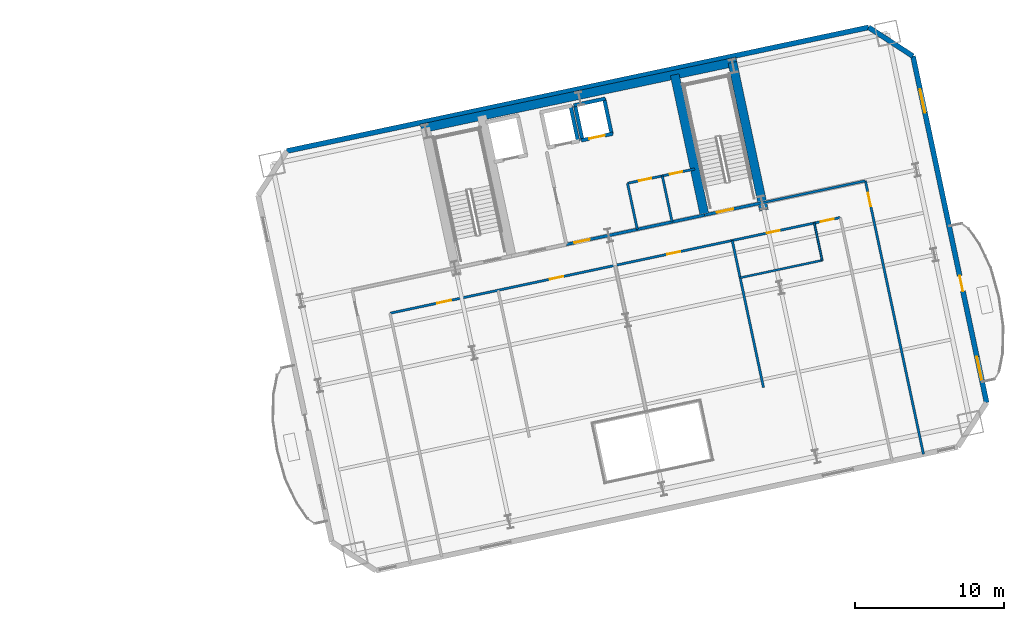
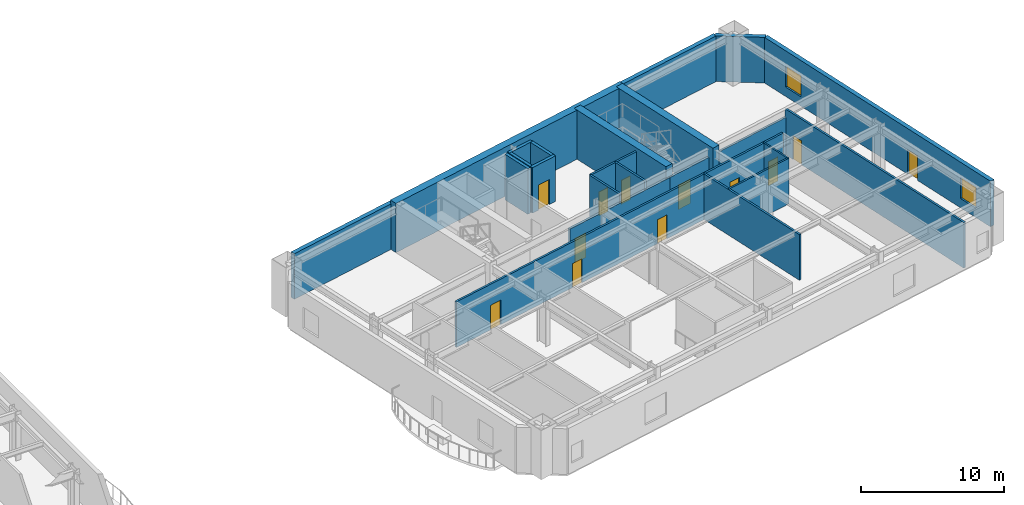
# One storey, part 9 of 15: 22 walls, 12 doors, 2 windows, 14 openings.
"""IFC4 building model written with IfcOpenShell, lengths in metres."""

import ifcopenshell
import ifcopenshell.guid

model = None  # the IFC model being written
_history = None  # IfcOwnerHistory: only IFC2X3 demands one
_inside = {}  # id of a spatial element -> (the spatial element, [elements in it])
_under = {}  # id of a project, library or spatial element -> (it, [spatial elements below it])
_declared = {}  # id of a project -> (the project, [libraries it declares])
_typed = {}  # id of a type object -> (the type object, [elements of that type])
_made_of = {}  # id of a material, layer set ... -> (it, [elements and type objects made of it])


def new_model(schema):
    """Start an empty IFC model of exactly this schema.

    Asked for "IFC4X3", IfcOpenShell would pick the latest addendum, in which some entities
    have other attributes; the version numbers below select the first issue.
    IFC2X3 requires an IfcOwnerHistory on every rooted entity: one is made here for all.
    """
    global model, _history
    if schema == "IFC4X3":
        model = ifcopenshell.file(schema_version=(4, 3, 0, 0))
    else:
        model = ifcopenshell.file(schema=schema)
    _inside.clear()
    _under.clear()
    _declared.clear()
    _typed.clear()
    _made_of.clear()
    _history = None
    if model.schema == "IFC2X3":
        org = make("IfcOrganization", Name="unknown")
        user = make(
            "IfcPersonAndOrganization",
            ThePerson=make("IfcPerson", FamilyName="unknown"),
            TheOrganization=org,
        )
        app = make(
            "IfcApplication",
            ApplicationDeveloper=org,
            Version="unknown",
            ApplicationFullName="unknown",
            ApplicationIdentifier="unknown",
        )
        _history = make(
            "IfcOwnerHistory",
            OwningUser=user,
            OwningApplication=app,
            ChangeAction="ADDED",
            CreationDate=0,
        )
    return model


def make(cls, **values):
    """One entity of the class cls with the attributes given. An attribute that is None is left unset."""
    return model.create_entity(
        cls, **{name: value for name, value in values.items() if value is not None}
    )


def rooted(cls, **values):
    """An entity with a GlobalId (a new one), such as an element, a storey or a relation."""
    return make(cls, GlobalId=ifcopenshell.guid.new(), OwnerHistory=_history, **values)


def si_unit(unit_type, name, prefix=None):
    """IfcSIUnit, for example si_unit("LENGTHUNIT", "METRE", prefix="MILLI")."""
    return make("IfcSIUnit", UnitType=unit_type, Prefix=prefix, Name=name)


def assignment(units):
    """IfcUnitAssignment: the units of a project."""
    return None if units is None else make("IfcUnitAssignment", Units=units)


def point(xyz):
    """IfcCartesianPoint."""
    return None if xyz is None else make("IfcCartesianPoint", Coordinates=xyz)


def direction(xyz):
    """IfcDirection."""
    return None if xyz is None else make("IfcDirection", DirectionRatios=xyz)


def frame(location, z_axis=None, x_axis=None):
    """IfcAxis2Placement3D, a coordinate frame: its origin and axes. An axis left out is left unset."""
    return make(
        "IfcAxis2Placement3D",
        Location=point(location),
        Axis=direction(z_axis),
        RefDirection=direction(x_axis),
    )


def frame_2d(location, x_axis=None):
    """IfcAxis2Placement2D, a coordinate frame in the plane: its origin and x axis."""
    return make(
        "IfcAxis2Placement2D", Location=point(location), RefDirection=direction(x_axis)
    )


def origin():
    """The frame at (0, 0, 0) with its axes left unset."""
    return frame((0.0, 0.0, 0.0))


def place(relative_to, where):
    """IfcLocalPlacement: puts the frame where relative to a parent placement (None: the world)."""
    return make(
        "IfcLocalPlacement", PlacementRelTo=relative_to, RelativePlacement=where
    )


def context(
    kind, dimensions, precision=None, world=None, true_north=None, identifier=None
):
    """IfcGeometricRepresentationContext, for example the 3D "Model" context."""
    return make(
        "IfcGeometricRepresentationContext",
        ContextIdentifier=identifier,
        ContextType=kind,
        CoordinateSpaceDimension=dimensions,
        Precision=precision,
        WorldCoordinateSystem=world,
        TrueNorth=true_north,
    )


def subcontext(parent, identifier, kind, view, scale=None):
    """IfcGeometricRepresentationSubContext, for example "Body" below "Model"."""
    return make(
        "IfcGeometricRepresentationSubContext",
        ContextIdentifier=identifier,
        ContextType=kind,
        ParentContext=parent,
        TargetScale=scale,
        TargetView=view,
    )


def project(units=None, contexts=None):
    """IfcProject with its units and contexts."""
    return rooted(
        "IfcProject",
        Name="project",
        RepresentationContexts=contexts,
        UnitsInContext=assignment(units),
    )


def spatial(cls, under=None, at=None, **own):
    """A site, building, storey or space (cls), placed at a placement, below another one or the project."""
    s = rooted(cls, ObjectPlacement=at, **own)
    if under is not None:
        _under.setdefault(under.id(), (under, []))[1].append(s)
    return s


def profile(cls, at=None, kind="AREA", **sizes):
    """A parametric profile (cls). Its sizes go by their IFC names, for example OverallWidth=200.0."""
    return make(cls, ProfileType=kind, Position=at, **sizes)


def rectangle(**sizes):
    """IfcRectangleProfileDef."""
    return profile("IfcRectangleProfileDef", **sizes)


def extrude(swept, where, along, depth):
    """IfcExtrudedAreaSolid: the profile swept, set in the frame where, extruded along a direction by depth."""
    return make(
        "IfcExtrudedAreaSolid",
        SweptArea=swept,
        Position=where,
        ExtrudedDirection=direction(along),
        Depth=depth,
    )


def shape(context_of_items, identifier, shape_type, items):
    """IfcShapeRepresentation: the items that make up one representation, for example the "Body"."""
    return make(
        "IfcShapeRepresentation",
        ContextOfItems=context_of_items,
        RepresentationIdentifier=identifier,
        RepresentationType=shape_type,
        Items=items,
    )


def material(Name=None, Category=None):
    """IfcMaterial."""
    return make("IfcMaterial", Name=Name, Category=Category)


def layer(
    of_material, thickness, ventilated=None, Name=None, Category=None, Priority=None
):
    """IfcMaterialLayer: one layer of a wall or slab, of a material (None: an air gap)."""
    return make(
        "IfcMaterialLayer",
        Material=of_material,
        LayerThickness=thickness,
        IsVentilated=ventilated,
        Name=Name,
        Category=Category,
        Priority=Priority,
    )


def layer_set(layers, Name=None):
    """IfcMaterialLayerSet."""
    return make("IfcMaterialLayerSet", MaterialLayers=layers, LayerSetName=Name)


def made_of(thing, what):
    """Note that an element or type object is made of a material, layer set ...; save() writes the relation."""
    if what is not None:
        _made_of.setdefault(what.id(), (what, []))[1].append(thing)
    return thing


def type_object(cls, material=None, **own):
    """A type object (cls), such as IfcWallType, which elements share."""
    return made_of(rooted(cls, **own), material)


def element(
    cls,
    number,
    at=None,
    inside=None,
    cuts=None,
    type_object=None,
    material=None,
    context=None,
    identifier="Body",
    shape_type=None,
    held_by="IfcProductDefinitionShape",
    body=None,
    shapes=None,
    **own,
):
    """One element of the class cls, such as IfcWall. Its Tag is "e" and its number.

    at: its placement. inside: the storey or other place that contains it. cuts: it is an
    opening in that element (IfcRelVoidsElement). A single representation is given by context,
    identifier, shape_type and body (its items); several are given by shapes. held_by: the class
    of the entity that holds the representations. save() writes the other relations.
    """
    e = rooted(cls, Tag="e%d" % number, ObjectPlacement=at, **own)
    if body is not None:
        shapes = [shape(context, identifier, shape_type, body)]
    if shapes is not None:
        e.Representation = make(held_by, Representations=shapes)
    if inside is not None:
        _inside.setdefault(inside.id(), (inside, []))[1].append(e)
    if cuts is not None:
        rooted(
            "IfcRelVoidsElement", RelatingBuildingElement=cuts, RelatedOpeningElement=e
        )
    if type_object is not None:
        _typed.setdefault(type_object.id(), (type_object, []))[1].append(e)
    return made_of(e, material)


def fill(opening, filler):
    """IfcRelFillsElement: the door or window that sits in an opening."""
    return rooted(
        "IfcRelFillsElement",
        RelatingOpeningElement=opening,
        RelatedBuildingElement=filler,
    )


def aggregate(whole, parts):
    """IfcRelAggregates: a whole, such as a stair, and the parts it consists of."""
    return rooted("IfcRelAggregates", RelatingObject=whole, RelatedObjects=parts)


def save(model, path):
    """Write the relations noted so far, then the file.

    IfcRelAggregates (storeys below a building ...), IfcRelContainedInSpatialStructure (elements
    in a storey), IfcRelDefinesByType, IfcRelAssociatesMaterial and IfcRelDeclares: one each for
    every whole, place, type object, material and project.
    """
    for whole, parts in _under.values():
        aggregate(whole, parts)
    for where, things in _inside.values():
        rooted(
            "IfcRelContainedInSpatialStructure",
            RelatedElements=things,
            RelatingStructure=where,
        )
    for kind, things in _typed.values():
        rooted("IfcRelDefinesByType", RelatedObjects=things, RelatingType=kind)
    for what, things in _made_of.values():
        rooted("IfcRelAssociatesMaterial", RelatedObjects=things, RelatingMaterial=what)
    for by, libraries in _declared.values():
        rooted("IfcRelDeclares", RelatingContext=by, RelatedDefinitions=libraries)
    model.write(path)


model = new_model("IFC4")

# Units and contexts
model_context = context("Model", 3, precision=1e-05, world=origin(), true_north=direction((0.0, 1.0)))
body_context = subcontext(model_context, "Body", "Model", "MODEL_VIEW")
ifc_project = project(units=[si_unit("LENGTHUNIT", "METRE"), si_unit("AREAUNIT", "SQUARE_METRE"), si_unit("VOLUMEUNIT", "CUBIC_METRE"), si_unit("PLANEANGLEUNIT", "RADIAN"), si_unit("MASSUNIT", "GRAM", prefix="KILO")], contexts=[model_context])

# Site, building, storey
site_placement = place(None, origin())
site = spatial("IfcSite", under=ifc_project, at=site_placement, CompositionType="ELEMENT")
building_placement = place(site_placement, origin())
building = spatial("IfcBuilding", under=site, at=building_placement, Name="Haevon Station Towers", CompositionType="ELEMENT")
storey_placement = place(building_placement, frame((0.0, 0.0, 77.699951171875)))
storey = spatial("IfcBuildingStorey", under=building, at=storey_placement, Name="L20", CompositionType="ELEMENT", Elevation=77.699951171875)

# Wall, opening, door
ifc_material_1 = material(Name="Gypsum board on steel stud", Category="steel")
ifc_layer_1 = layer(ifc_material_1, 0.199951171875)
ifc_layer_set_1 = layer_set([ifc_layer_1], Name="Gypsum board on steel stud")
wall_type_1 = type_object("IfcWallType", Name="WL-COR200", PredefinedType="PARTITIONING", material=ifc_layer_set_1)
wall_1_placement = place(storey_placement, frame((115.4296875, 40.9873046875, 0.0), z_axis=(0.0, 0.0, 1.0), x_axis=(0.978146596989, 0.207916413008, 0.0)))
wall_1 = element("IfcWall", 1, at=wall_1_placement, inside=storey, type_object=wall_type_1, Name="WL-ST-ST4-L20", PredefinedType="PARTITIONING", context=body_context, shape_type="SweptSolid", body=[
    extrude(rectangle(XDim=3.9501953125, YDim=0.199951171875, at=frame_2d((1.97509765625, 0.0))), origin(), (0.0, 0.0, 1.0), 3.199951171875),
])
opening_1_placement = place(wall_1_placement, frame((0.85009765625, 0.0, 0.0)))
opening_1 = element("IfcOpeningElement", 2, at=opening_1_placement, cuts=wall_1, Name="Opening DR-ST-ST4-L20", PredefinedType="OPENING", context=body_context, shape_type="SweptSolid", body=[
    extrude(rectangle(XDim=1.1201171875, YDim=2.10009765625, at=frame_2d((0.56005859375, 1.050048828125))), frame((0.0, 0.10986328125, 0.0), z_axis=(0.0, -1.0, 0.0), x_axis=(1.0, 0.0, 0.0)), (0.0, 0.0, 1.0), 0.219970703125),
])
ifc_material_2 = material(Name="Engineered oak timber", Category="wood")
door_type_1 = type_object("IfcDoorType", Name="DR-ST-1120", OperationType="NOTDEFINED", PredefinedType="DOOR", material=ifc_material_2)
door_1_placement = place(opening_1_placement, origin())
door_1 = element("IfcDoor", 3, at=door_1_placement, inside=storey, type_object=door_type_1, Name="L20 Escape Stair ST4 Fire Door", OperationType="SINGLE_SWING_RIGHT", OverallHeight=2.10009765625, OverallWidth=1.1201171875, PredefinedType="DOOR", context=body_context, shape_type="SweptSolid", body=[
    extrude(rectangle(XDim=1.1201171875, YDim=2.10009765625, at=frame_2d((0.56005859375, 1.050048828125))), frame((0.0, 0.02490234375, 0.0), z_axis=(0.0, -1.0, 0.0), x_axis=(1.0, 0.0, 0.0)), (0.0, 0.0, 1.0), 0.050048828125),
])
fill(opening_1, door_1)

wall_2_placement = place(storey_placement, frame((106.186279296875, 39.0224609375, 0.0), z_axis=(0.0, 0.0, 1.0), x_axis=(0.978145519981, 0.20792147975, 0.0)))
wall_2 = element("IfcWall", 4, at=wall_2_placement, inside=storey, type_object=wall_type_1, Name="WL-T2CLB-L20", PredefinedType="PARTITIONING", context=body_context, shape_type="SweptSolid", body=[
    extrude(rectangle(XDim=9.449951171875, YDim=0.199951171875, at=frame_2d((4.72509765625, 0.0))), origin(), (0.0, 0.0, 1.0), 3.199951171875),
])
opening_2_placement = place(wall_2_placement, frame((0.550048828125, 0.0, 0.0)))
opening_2 = element("IfcOpeningElement", 5, at=opening_2_placement, cuts=wall_2, Name="Opening DR-T2CLB-L20-1", PredefinedType="OPENING", context=body_context, shape_type="SweptSolid", body=[
    extrude(rectangle(XDim=1.050048828125, YDim=2.10009765625, at=frame_2d((0.52490234375, 1.050048828125))), frame((0.0, 0.10986328125, 0.0), z_axis=(0.0, -1.0, 0.0), x_axis=(1.0, 0.0, 0.0)), (0.0, 0.0, 1.0), 0.219970703125),
])
door_type_2 = type_object("IfcDoorType", Name="DR-FD60-1050", OperationType="NOTDEFINED", PredefinedType="DOOR", material=ifc_material_2)
door_2_placement = place(opening_2_placement, origin())
door_2 = element("IfcDoor", 6, at=door_2_placement, inside=storey, type_object=door_type_2, Name="L20 Tower 2 Core Lift Lobby Door 1", OperationType="SINGLE_SWING_LEFT", OverallHeight=2.10009765625, OverallWidth=1.050048828125, PredefinedType="DOOR", context=body_context, shape_type="SweptSolid", body=[
    extrude(rectangle(XDim=1.050048828125, YDim=2.10009765625, at=frame_2d((0.52490234375, 1.050048828125))), frame((0.0, 0.02490234375, 0.0), z_axis=(0.0, -1.0, 0.0), x_axis=(1.0, 0.0, 0.0)), (0.0, 0.0, 1.0), 0.050048828125),
])
fill(opening_2, door_2)

# Walls
ifc_material_3 = material(Name="Concrete C60/75", Category="concrete")
ifc_layer_2 = layer(ifc_material_3, 0.60009765625)
ifc_layer_set_2 = layer_set([ifc_layer_2], Name="Concrete C60/75")
wall_type_2 = type_object("IfcWallType", Name="WL-CR600", PredefinedType="SHEAR", material=ifc_layer_set_2)
wall_3_placement = place(storey_placement, frame((96.462890625, 46.770263671875, 0.0), z_axis=(0.0, 0.0, 1.0), x_axis=(0.978147272959, 0.207913232873, 0.0)))
element("IfcWall", 7, at=wall_3_placement, inside=storey, type_object=wall_type_2, Name="WL-T2CR-L20-N", PredefinedType="SHEAR", context=body_context, shape_type="SweptSolid", body=[
    extrude(rectangle(XDim=21.60009765625, YDim=0.60009765625, at=frame_2d((10.800048828125, 0.0))), origin(), (0.0, 0.0, 1.0), 4.199951171875),
])
wall_4_placement = place(storey_placement, frame((119.401611328125, 41.2998046875, 0.0), z_axis=(0.0, 0.0, 1.0), x_axis=(-0.207904342798, 0.978149162575, 0.0)))
element("IfcWall", 8, at=wall_4_placement, inside=storey, type_object=wall_type_2, Name="WL-T2CR-L20-E", PredefinedType="SHEAR", context=body_context, shape_type="SweptSolid", body=[
    extrude(rectangle(XDim=10.1201171875, YDim=0.60009765625, at=frame_2d((5.06005859375, 0.0))), origin(), (0.0, 0.0, 1.0), 4.199951171875),
])
wall_5_placement = place(storey_placement, frame((115.4296875, 40.9873046875, 0.0), z_axis=(0.0, 0.0, 1.0), x_axis=(-0.207903162969, 0.978149413345, 0.0)))
element("IfcWall", 9, at=wall_5_placement, inside=storey, type_object=wall_type_2, Name="WL-T2CR-L20-M2", PredefinedType="SHEAR", context=body_context, shape_type="SweptSolid", body=[
    extrude(rectangle(XDim=9.599853515625, YDim=0.60009765625, at=frame_2d((4.7998046875, 0.0))), origin(), (0.0, 0.0, 1.0), 4.199951171875),
])
ifc_material_4 = material(Name="Precast concrete C45/55", Category="concrete")
ifc_layer_3 = layer(ifc_material_4, 0.340087890625)
ifc_layer_set_3 = layer_set([ifc_layer_3], Name="Precast concrete C45/55")
wall_type_3 = type_object("IfcWallType", Name="WL-EXT-PIER340", PredefinedType="SOLIDWALL", material=ifc_layer_set_3)
wall_6_placement = place(storey_placement, frame((87.478759765625, 45.26953125, 0.0), z_axis=(0.0, 0.0, 1.0), x_axis=(0.978147406386, 0.20791260515, 0.0)))
element("IfcWall", 10, at=wall_6_placement, inside=storey, type_object=wall_type_3, Name="WL-T2-L20-N", PredefinedType="SOLIDWALL", context=body_context, shape_type="SweptSolid", body=[
    extrude(rectangle(XDim=39.7998046875, YDim=0.340087890625, at=frame_2d((19.89990234375, 0.0))), origin(), (0.0, 0.0, 1.0), 3.900146484375),
])
wall_7_placement = place(storey_placement, frame((126.408935546875, 53.54443359375, 0.0), z_axis=(0.0, 0.0, 1.0), x_axis=(0.838672309694, -0.544636352948, 0.0)))
element("IfcWall", 11, at=wall_7_placement, inside=storey, type_object=wall_type_3, Name="WL-T2-L20-NEC", PredefinedType="SOLIDWALL", context=body_context, shape_type="SweptSolid", body=[
    extrude(rectangle(XDim=3.535400390625, YDim=0.340087890625, at=frame_2d((1.767578125, 0.0))), origin(), (0.0, 0.0, 1.0), 3.900146484375),
])

# Wall, openings, door, windows
wall_8_placement = place(storey_placement, frame((129.3740234375, 51.618896484375, 0.0), z_axis=(0.0, 0.0, 1.0), x_axis=(0.20791074704, -0.978147801339, 0.0)))
wall_8 = element("IfcWall", 12, at=wall_8_placement, inside=storey, type_object=wall_type_3, Name="WL-T2-L20-E", PredefinedType="SOLIDWALL", context=body_context, shape_type="SweptSolid", body=[
    extrude(rectangle(XDim=23.699951171875, YDim=0.340087890625, at=frame_2d((11.85009765625, 0.0))), origin(), (0.0, 0.0, 1.0), 3.900146484375),
])
opening_3_placement = place(wall_8_placement, frame((15.02490234375, 0.0, 0.0)))
opening_3 = element("IfcOpeningElement", 13, at=opening_3_placement, cuts=wall_8, Name="Opening DR-T2-SCAL-L20-E", PredefinedType="OPENING", context=body_context, shape_type="SweptSolid", body=[
    extrude(rectangle(XDim=1.050048828125, YDim=2.10009765625, at=frame_2d((0.52490234375, 1.050048828125))), frame((0.0, 0.179931640625, 0.0), z_axis=(0.0, -1.0, 0.0), x_axis=(1.0, 0.0, 0.0)), (0.0, 0.0, 1.0), 0.360107421875),
])
opening_4_placement = place(wall_8_placement, frame((2.264404296875, 0.0, 0.800048828125)))
opening_4 = element("IfcOpeningElement", 14, at=opening_4_placement, cuts=wall_8, Name="Opening WN-END160", PredefinedType="OPENING", context=body_context, shape_type="SweptSolid", body=[
    extrude(rectangle(XDim=1.60009765625, YDim=1.800048828125, at=frame_2d((0.800048828125, 0.89990234375))), frame((0.0, 0.179931640625, 0.0), z_axis=(0.0, -1.0, 0.0), x_axis=(1.0, 0.0, 0.0)), (0.0, 0.0, 1.0), 0.360107421875),
])
opening_5_placement = place(wall_8_placement, frame((20.56787109375, 0.0, 0.800048828125)))
opening_5 = element("IfcOpeningElement", 15, at=opening_5_placement, cuts=wall_8, Name="Opening WN-END160", PredefinedType="OPENING", context=body_context, shape_type="SweptSolid", body=[
    extrude(rectangle(XDim=1.60009765625, YDim=1.800048828125, at=frame_2d((0.800048828125, 0.89990234375))), frame((0.0, 0.179931640625, 0.0), z_axis=(0.0, -1.0, 0.0), x_axis=(1.0, 0.0, 0.0)), (0.0, 0.0, 1.0), 0.360107421875),
])
ifc_material_5 = material(Name="Thermally broken anodised aluminium and laminated safety glass", Category="aluminium")
door_type_3 = type_object("IfcDoorType", Name="DR-BALC-1050", OperationType="NOTDEFINED", PredefinedType="DOOR", material=ifc_material_5)
door_3_placement = place(opening_3_placement, origin())
door_3 = element("IfcDoor", 16, at=door_3_placement, inside=storey, type_object=door_type_3, Name="Tower 2 L20 East Scalloped Balcony Door", OperationType="SINGLE_SWING_RIGHT", OverallHeight=2.10009765625, OverallWidth=1.050048828125, PredefinedType="DOOR", context=body_context, shape_type="SweptSolid", body=[
    extrude(rectangle(XDim=1.050048828125, YDim=2.10009765625, at=frame_2d((0.52490234375, 1.050048828125))), frame((0.0, 0.02490234375, 0.0), z_axis=(0.0, -1.0, 0.0), x_axis=(1.0, 0.0, 0.0)), (0.0, 0.0, 1.0), 0.050048828125),
])
fill(opening_3, door_3)
ifc_material_6 = material(Name="Low-E triple glazing in thermally broken aluminium", Category="aluminium")
window_type = type_object("IfcWindowType", Name="WN-END160", PartitioningType="SINGLE_PANEL", PredefinedType="WINDOW", material=ifc_material_6)
window_1_placement = place(opening_4_placement, origin())
window_1 = element("IfcWindow", 17, at=window_1_placement, inside=storey, type_object=window_type, Name="WN-T2-L20-E01", OverallHeight=1.800048828125, OverallWidth=1.60009765625, PartitioningType="SINGLE_PANEL", PredefinedType="WINDOW", context=body_context, shape_type="SweptSolid", body=[
    extrude(rectangle(XDim=1.60009765625, YDim=1.800048828125, at=frame_2d((0.800048828125, 0.89990234375))), frame((0.0, 0.030029296875, 0.0), z_axis=(0.0, -1.0, 0.0), x_axis=(1.0, 0.0, 0.0)), (0.0, 0.0, 1.0), 0.06005859375),
])
fill(opening_4, window_1)
window_2_placement = place(opening_5_placement, origin())
window_2 = element("IfcWindow", 18, at=window_2_placement, inside=storey, type_object=window_type, Name="WN-T2-L20-E02", OverallHeight=1.800048828125, OverallWidth=1.60009765625, PartitioningType="SINGLE_PANEL", PredefinedType="WINDOW", context=body_context, shape_type="SweptSolid", body=[
    extrude(rectangle(XDim=1.60009765625, YDim=1.800048828125, at=frame_2d((0.800048828125, 0.89990234375))), frame((0.0, 0.030029296875, 0.0), z_axis=(0.0, -1.0, 0.0), x_axis=(1.0, 0.0, 0.0)), (0.0, 0.0, 1.0), 0.06005859375),
])
fill(opening_5, window_2)

# Walls
ifc_layer_4 = layer(ifc_material_1, 0.125)
ifc_layer_set_4 = layer_set([ifc_layer_4], Name="Gypsum board on steel stud")
wall_type_4 = type_object("IfcWallType", Name="WL-PRT125", PredefinedType="PARTITIONING", material=ifc_layer_set_4)
wall_9_placement = place(storey_placement, frame((123.3017578125, 37.957763671875, 0.0), z_axis=(0.0, 0.0, 1.0), x_axis=(-0.207940050407, 0.978141572287, 0.0)))
element("IfcWall", 19, at=wall_9_placement, inside=storey, type_object=wall_type_4, Name="WL-T2PT-L20-17", PredefinedType="PARTITIONING", context=body_context, shape_type="SweptSolid", body=[
    extrude(rectangle(XDim=2.550048828125, YDim=0.125, at=frame_2d((1.27490234375, 0.0))), origin(), (0.0, 0.0, 1.0), 3.900146484375),
])
ifc_layer_5 = layer(ifc_material_1, 0.139892578125)
ifc_layer_set_5 = layer_set([ifc_layer_5], Name="Gypsum board on steel stud")
wall_type_5 = type_object("IfcWallType", Name="WL-PRT140", PredefinedType="PARTITIONING", material=ifc_layer_set_5)
wall_10_placement = place(storey_placement, frame((117.812255859375, 36.791015625, 0.0), z_axis=(0.0, 0.0, 1.0), x_axis=(0.978150558092, 0.207897777057, 0.0)))
element("IfcWall", 20, at=wall_10_placement, inside=storey, type_object=wall_type_5, Name="WL-T2PT-L20-16", PredefinedType="PARTITIONING", context=body_context, shape_type="SweptSolid", body=[
    extrude(rectangle(XDim=5.612060546875, YDim=0.139892578125, at=frame_2d((2.80615234375, 0.0))), origin(), (0.0, 0.0, 1.0), 3.900146484375),
])
ifc_layer_6 = layer(ifc_material_1, 0.159912109375)
ifc_layer_set_6 = layer_set([ifc_layer_6], Name="Gypsum board on steel stud")
wall_type_6 = type_object("IfcWallType", Name="WL-PRT160", PredefinedType="PARTITIONING", material=ifc_layer_set_6)
wall_11_placement = place(storey_placement, frame((110.93017578125, 40.031005859375, 0.0), z_axis=(0.0, 0.0, 1.0), x_axis=(-0.207877295669, 0.978154911016, 0.0)))
element("IfcWall", 21, at=wall_11_placement, inside=storey, type_object=wall_type_6, Name="WL-T2CW-L20-01", PredefinedType="PARTITIONING", context=body_context, shape_type="SweptSolid", body=[
    extrude(rectangle(XDim=3.14990234375, YDim=0.159912109375, at=frame_2d((1.574951171875, 0.0))), origin(), (0.0, 0.0, 1.0), 3.900146484375),
])
wall_12_placement = place(storey_placement, frame((113.25830078125, 40.525634765625, 0.0), z_axis=(0.0, 0.0, 1.0), x_axis=(-0.207935688634, 0.978142499533, 0.0)))
element("IfcWall", 22, at=wall_12_placement, inside=storey, type_object=wall_type_6, Name="WL-T2CW-L20-02", PredefinedType="PARTITIONING", context=body_context, shape_type="SweptSolid", body=[
    extrude(rectangle(XDim=3.150146484375, YDim=0.159912109375, at=frame_2d((1.5751953125, 0.0))), origin(), (0.0, 0.0, 1.0), 3.900146484375),
])

# Wall, openings, doors
wall_13_placement = place(storey_placement, frame((110.275390625, 43.112060546875, 0.0), z_axis=(0.0, 0.0, 1.0), x_axis=(0.978152106073, 0.207890493732, 0.0)))
wall_13 = element("IfcWall", 23, at=wall_13_placement, inside=storey, type_object=wall_type_6, Name="WL-T2CW-L20-03", PredefinedType="PARTITIONING", context=body_context, shape_type="SweptSolid", body=[
    extrude(rectangle(XDim=4.60009765625, YDim=0.159912109375, at=frame_2d((2.300048828125, 0.0))), origin(), (0.0, 0.0, 1.0), 3.900146484375),
])
opening_6_placement = place(wall_13_placement, frame((0.784912109375, 0.0, 0.0)))
opening_6 = element("IfcOpeningElement", 24, at=opening_6_placement, cuts=wall_13, Name="Opening DR-WL-T2CW-L20-03-1", PredefinedType="OPENING", context=body_context, shape_type="SweptSolid", body=[
    extrude(rectangle(XDim=0.85009765625, YDim=2.050048828125, at=frame_2d((0.425048828125, 1.02490234375))), frame((0.0, 0.08984375, 0.0), z_axis=(0.0, -1.0, 0.0), x_axis=(1.0, 0.0, 0.0)), (0.0, 0.0, 1.0), 0.179931640625),
])
opening_7_placement = place(wall_13_placement, frame((2.905029296875, 0.0, 0.0)))
opening_7 = element("IfcOpeningElement", 25, at=opening_7_placement, cuts=wall_13, Name="Opening DR-WL-T2CW-L20-03-2", PredefinedType="OPENING", context=body_context, shape_type="SweptSolid", body=[
    extrude(rectangle(XDim=0.85009765625, YDim=2.050048828125, at=frame_2d((0.425048828125, 1.02490234375))), frame((0.0, 0.08984375, 0.0), z_axis=(0.0, -1.0, 0.0), x_axis=(1.0, 0.0, 0.0)), (0.0, 0.0, 1.0), 0.179931640625),
])
door_type_4 = type_object("IfcDoorType", Name="DR-FD30-850", OperationType="NOTDEFINED", PredefinedType="DOOR", material=ifc_material_2)
door_4_placement = place(opening_6_placement, origin())
door_4 = element("IfcDoor", 26, at=door_4_placement, inside=storey, type_object=door_type_4, Name="L20 Tower 2 Core Room Door 3-1", OperationType="SINGLE_SWING_LEFT", OverallHeight=2.050048828125, OverallWidth=0.85009765625, PredefinedType="DOOR", context=body_context, shape_type="SweptSolid", body=[
    extrude(rectangle(XDim=0.85009765625, YDim=2.050048828125, at=frame_2d((0.425048828125, 1.02490234375))), frame((0.0, 0.02490234375, 0.0), z_axis=(0.0, -1.0, 0.0), x_axis=(1.0, 0.0, 0.0)), (0.0, 0.0, 1.0), 0.050048828125),
])
fill(opening_6, door_4)
door_5_placement = place(opening_7_placement, origin())
door_5 = element("IfcDoor", 27, at=door_5_placement, inside=storey, type_object=door_type_4, Name="L20 Tower 2 Core Room Door 3-2", OperationType="SINGLE_SWING_RIGHT", OverallHeight=2.050048828125, OverallWidth=0.85009765625, PredefinedType="DOOR", context=body_context, shape_type="SweptSolid", body=[
    extrude(rectangle(XDim=0.85009765625, YDim=2.050048828125, at=frame_2d((0.425048828125, 1.02490234375))), frame((0.0, 0.02490234375, 0.0), z_axis=(0.0, -1.0, 0.0), x_axis=(1.0, 0.0, 0.0)), (0.0, 0.0, 1.0), 0.050048828125),
])
fill(opening_7, door_5)

# Wall
wall_14_placement = place(storey_placement, frame((119.29345703125, 41.80859375, 0.0), z_axis=(0.0, 0.0, 1.0), x_axis=(0.978146703791, 0.207915910556, 0.0)))
element("IfcWall", 28, at=wall_14_placement, inside=storey, type_object=wall_type_6, Name="WL-T2PT-L20-04", PredefinedType="PARTITIONING", context=body_context, shape_type="SweptSolid", body=[
    extrude(rectangle(XDim=7.050048828125, YDim=0.159912109375, at=frame_2d((3.52490234375, 0.0))), origin(), (0.0, 0.0, 1.0), 3.199951171875),
])

# Wall, opening, door
wall_15_placement = place(storey_placement, frame((130.077392578125, 24.98291015625, 0.0), z_axis=(0.0, 0.0, 1.0), x_axis=(-0.207909658332, 0.97814803275, 0.0)))
wall_15 = element("IfcWall", 29, at=wall_15_placement, inside=storey, type_object=wall_type_6, Name="WL-T2PT-L20-06", PredefinedType="PARTITIONING", context=body_context, shape_type="SweptSolid", body=[
    extrude(rectangle(XDim=18.7001953125, YDim=0.159912109375, at=frame_2d((9.35009765625, 0.0))), origin(), (0.0, 0.0, 1.0), 3.900146484375),
])
opening_8_placement = place(wall_15_placement, frame((16.969970703125, 0.0, 0.0)))
opening_8 = element("IfcOpeningElement", 30, at=opening_8_placement, cuts=wall_15, Name="Opening DR-WL-T2PT-L20-06-01", PredefinedType="OPENING", context=body_context, shape_type="SweptSolid", body=[
    extrude(rectangle(XDim=0.89990234375, YDim=2.050048828125, at=frame_2d((0.449951171875, 1.02490234375))), frame((0.0, 0.08984375, 0.0), z_axis=(0.0, -1.0, 0.0), x_axis=(1.0, 0.0, 0.0)), (0.0, 0.0, 1.0), 0.179931640625),
])
door_type_5 = type_object("IfcDoorType", Name="DR-INT-900", OperationType="NOTDEFINED", PredefinedType="DOOR", material=ifc_material_2)
door_6_placement = place(opening_8_placement, origin())
door_6 = element("IfcDoor", 31, at=door_6_placement, inside=storey, type_object=door_type_5, Name="L20 Tower 2 Room Door 6-1", OperationType="SINGLE_SWING_RIGHT", OverallHeight=2.050048828125, OverallWidth=0.89990234375, PredefinedType="DOOR", context=body_context, shape_type="SweptSolid", body=[
    extrude(rectangle(XDim=0.89990234375, YDim=2.050048828125, at=frame_2d((0.449951171875, 1.02490234375))), frame((0.0, 0.02490234375, 0.0), z_axis=(0.0, -1.0, 0.0), x_axis=(1.0, 0.0, 0.0)), (0.0, 0.0, 1.0), 0.050048828125),
])
fill(opening_8, door_6)

# Wall
wall_16_placement = place(storey_placement, frame((119.37158203125, 29.454833984375, 0.0), z_axis=(0.0, 0.0, 1.0), x_axis=(-0.207897978629, 0.978150515249, 0.0)))
element("IfcWall", 32, at=wall_16_placement, inside=storey, type_object=wall_type_6, Name="WL-T2PT-L20-14", PredefinedType="PARTITIONING", context=body_context, shape_type="SweptSolid", body=[
    extrude(rectangle(XDim=10.0498046875, YDim=0.159912109375, at=frame_2d((5.02490234375, 0.0))), origin(), (0.0, 0.0, 1.0), 3.900146484375),
])

# Wall, openings, doors
wall_17_placement = place(storey_placement, frame((94.3857421875, 34.41845703125, 0.0), z_axis=(0.0, 0.0, 1.0), x_axis=(0.978148374034, 0.207908052695, 0.0)))
wall_17 = element("IfcWall", 33, at=wall_17_placement, inside=storey, type_object=wall_type_6, Name="WL-T2PT-L20-18", PredefinedType="PARTITIONING", context=body_context, shape_type="SweptSolid", body=[
    extrude(rectangle(XDim=30.800048828125, YDim=0.159912109375, at=frame_2d((15.39990234375, 0.0))), origin(), (0.0, 0.0, 1.0), 3.900146484375),
])
opening_9_placement = place(wall_17_placement, frame((3.220947265625, 0.0, 0.0)))
opening_9 = element("IfcOpeningElement", 34, at=opening_9_placement, cuts=wall_17, Name="Opening DR-WL-T2PT-L20-18-01", PredefinedType="OPENING", context=body_context, shape_type="SweptSolid", body=[
    extrude(rectangle(XDim=0.949951171875, YDim=2.10009765625, at=frame_2d((0.47509765625, 1.050048828125))), frame((0.0, 0.08984375, 0.0), z_axis=(0.0, -1.0, 0.0), x_axis=(1.0, 0.0, 0.0)), (0.0, 0.0, 1.0), 0.179931640625),
])
opening_10_placement = place(wall_17_placement, frame((10.946044921875, 0.0, 0.0)))
opening_10 = element("IfcOpeningElement", 35, at=opening_10_placement, cuts=wall_17, Name="Opening DR-WL-T2PT-L20-18-02", PredefinedType="OPENING", context=body_context, shape_type="SweptSolid", body=[
    extrude(rectangle(XDim=0.89990234375, YDim=2.050048828125, at=frame_2d((0.449951171875, 1.02490234375))), frame((0.0, 0.08984375, 0.0), z_axis=(0.0, -1.0, 0.0), x_axis=(1.0, 0.0, 0.0)), (0.0, 0.0, 1.0), 0.179931640625),
])
opening_11_placement = place(wall_17_placement, frame((18.9541015625, 0.0, 0.0)))
opening_11 = element("IfcOpeningElement", 36, at=opening_11_placement, cuts=wall_17, Name="Opening DR-WL-T2PT-L20-18-03", PredefinedType="OPENING", context=body_context, shape_type="SweptSolid", body=[
    extrude(rectangle(XDim=0.89990234375, YDim=2.050048828125, at=frame_2d((0.449951171875, 1.02490234375))), frame((0.0, 0.08984375, 0.0), z_axis=(0.0, -1.0, 0.0), x_axis=(1.0, 0.0, 0.0)), (0.0, 0.0, 1.0), 0.179931640625),
])
opening_12_placement = place(wall_17_placement, frame((25.7890625, 0.0, 0.0)))
opening_12 = element("IfcOpeningElement", 37, at=opening_12_placement, cuts=wall_17, Name="Opening DR-WL-T2PT-L20-18-04", PredefinedType="OPENING", context=body_context, shape_type="SweptSolid", body=[
    extrude(rectangle(XDim=0.85009765625, YDim=2.050048828125, at=frame_2d((0.425048828125, 1.02490234375))), frame((0.0, 0.08984375, 0.0), z_axis=(0.0, -1.0, 0.0), x_axis=(1.0, 0.0, 0.0)), (0.0, 0.0, 1.0), 0.179931640625),
])
opening_13_placement = place(wall_17_placement, frame((29.4599609375, 0.0, 0.0)))
opening_13 = element("IfcOpeningElement", 38, at=opening_13_placement, cuts=wall_17, Name="Opening DR-WL-T2PT-L20-18-05", PredefinedType="OPENING", context=body_context, shape_type="SweptSolid", body=[
    extrude(rectangle(XDim=0.89990234375, YDim=2.050048828125, at=frame_2d((0.449951171875, 1.02490234375))), frame((0.0, 0.08984375, 0.0), z_axis=(0.0, -1.0, 0.0), x_axis=(1.0, 0.0, 0.0)), (0.0, 0.0, 1.0), 0.179931640625),
])
door_7_placement = place(opening_12_placement, origin())
door_7 = element("IfcDoor", 39, at=door_7_placement, inside=storey, type_object=door_type_4, Name="L20 Tower 2 Room Door 18-4", OperationType="SINGLE_SWING_RIGHT", OverallHeight=2.050048828125, OverallWidth=0.85009765625, PredefinedType="DOOR", context=body_context, shape_type="SweptSolid", body=[
    extrude(rectangle(XDim=0.85009765625, YDim=2.050048828125, at=frame_2d((0.425048828125, 1.02490234375))), frame((0.0, 0.02490234375, 0.0), z_axis=(0.0, -1.0, 0.0), x_axis=(1.0, 0.0, 0.0)), (0.0, 0.0, 1.0), 0.050048828125),
])
fill(opening_12, door_7)
door_type_6 = type_object("IfcDoorType", Name="DR-FD30-950", OperationType="NOTDEFINED", PredefinedType="DOOR", material=ifc_material_2)
door_8_placement = place(opening_9_placement, origin())
door_8 = element("IfcDoor", 40, at=door_8_placement, inside=storey, type_object=door_type_6, Name="L20 Tower 2 Room Door 18-1", OperationType="SINGLE_SWING_LEFT", OverallHeight=2.10009765625, OverallWidth=0.949951171875, PredefinedType="DOOR", context=body_context, shape_type="SweptSolid", body=[
    extrude(rectangle(XDim=0.949951171875, YDim=2.10009765625, at=frame_2d((0.47509765625, 1.050048828125))), frame((0.0, 0.02490234375, 0.0), z_axis=(0.0, -1.0, 0.0), x_axis=(1.0, 0.0, 0.0)), (0.0, 0.0, 1.0), 0.050048828125),
])
fill(opening_9, door_8)
door_9_placement = place(opening_10_placement, origin())
door_9 = element("IfcDoor", 41, at=door_9_placement, inside=storey, type_object=door_type_5, Name="L20 Tower 2 Room Door 18-2", OperationType="SINGLE_SWING_RIGHT", OverallHeight=2.050048828125, OverallWidth=0.89990234375, PredefinedType="DOOR", context=body_context, shape_type="SweptSolid", body=[
    extrude(rectangle(XDim=0.89990234375, YDim=2.050048828125, at=frame_2d((0.449951171875, 1.02490234375))), frame((0.0, 0.02490234375, 0.0), z_axis=(0.0, -1.0, 0.0), x_axis=(1.0, 0.0, 0.0)), (0.0, 0.0, 1.0), 0.050048828125),
])
fill(opening_10, door_9)
door_10_placement = place(opening_11_placement, origin())
door_10 = element("IfcDoor", 42, at=door_10_placement, inside=storey, type_object=door_type_5, Name="L20 Tower 2 Room Door 18-3", OperationType="SINGLE_SWING_LEFT", OverallHeight=2.050048828125, OverallWidth=0.89990234375, PredefinedType="DOOR", context=body_context, shape_type="SweptSolid", body=[
    extrude(rectangle(XDim=0.89990234375, YDim=2.050048828125, at=frame_2d((0.449951171875, 1.02490234375))), frame((0.0, 0.02490234375, 0.0), z_axis=(0.0, -1.0, 0.0), x_axis=(1.0, 0.0, 0.0)), (0.0, 0.0, 1.0), 0.050048828125),
])
fill(opening_11, door_10)
door_11_placement = place(opening_13_placement, origin())
door_11 = element("IfcDoor", 43, at=door_11_placement, inside=storey, type_object=door_type_5, Name="L20 Tower 2 Room Door 18-5", OperationType="SINGLE_SWING_LEFT", OverallHeight=2.050048828125, OverallWidth=0.89990234375, PredefinedType="DOOR", context=body_context, shape_type="SweptSolid", body=[
    extrude(rectangle(XDim=0.89990234375, YDim=2.050048828125, at=frame_2d((0.449951171875, 1.02490234375))), frame((0.0, 0.02490234375, 0.0), z_axis=(0.0, -1.0, 0.0), x_axis=(1.0, 0.0, 0.0)), (0.0, 0.0, 1.0), 0.050048828125),
])
fill(opening_13, door_11)

# Wall
ifc_material_7 = material(Name="Concrete C40/50", Category="concrete")
ifc_layer_7 = layer(ifc_material_7, 0.239990234375)
ifc_layer_set_7 = layer_set([ifc_layer_7], Name="Concrete C40/50")
wall_type_7 = type_object("IfcWallType", Name="WL-SHF240", PredefinedType="PARTITIONING", material=ifc_layer_set_7)
wall_18_placement = place(storey_placement, frame((106.966064453125, 45.935791015625, 0.0), z_axis=(0.0, 0.0, 1.0), x_axis=(-0.207937840262, 0.978142042133, 0.0)))
element("IfcWall", 44, at=wall_18_placement, inside=storey, type_object=wall_type_7, Name="WL-SHF-PL7-L20-E", PredefinedType="PARTITIONING", context=body_context, shape_type="SweptSolid", body=[
    extrude(rectangle(XDim=2.39990234375, YDim=0.239990234375, at=frame_2d((1.199951171875, 0.0))), origin(), (0.0, 0.0, 1.0), 3.900146484375),
])

# Wall, opening, door
wall_19_placement = place(storey_placement, frame((107.18115234375, 45.9814453125, 0.0), z_axis=(0.0, 0.0, 1.0), x_axis=(0.97813528961, 0.207969601673, 0.0)))
wall_19 = element("IfcWall", 45, at=wall_19_placement, inside=storey, type_object=wall_type_7, Name="WL-SHF-PL8-L20", PredefinedType="PARTITIONING", context=body_context, shape_type="SweptSolid", body=[
    extrude(rectangle(XDim=2.159912109375, YDim=0.239990234375, at=frame_2d((1.080078125, 0.0))), origin(), (0.0, 0.0, 1.0), 3.900146484375),
])
opening_14_placement = place(wall_19_placement, frame((0.554931640625, 0.0, 0.0)))
opening_14 = element("IfcOpeningElement", 46, at=opening_14_placement, cuts=wall_19, Name="Opening LD-PL8-L20", PredefinedType="OPENING", context=body_context, shape_type="SweptSolid", body=[
    extrude(rectangle(XDim=1.050048828125, YDim=2.14990234375, at=frame_2d((0.52490234375, 1.074951171875))), frame((0.0, 0.1298828125, 0.0), z_axis=(0.0, -1.0, 0.0), x_axis=(1.0, 0.0, 0.0)), (0.0, 0.0, 1.0), 0.260009765625),
])
ifc_material_8 = material(Name="Stainless steel and rated core", Category="steel")
door_type_7 = type_object("IfcDoorType", Name="LD-PL1050", OperationType="SLIDING_TO_LEFT", PredefinedType="DOOR", material=ifc_material_8)
door_12_placement = place(opening_14_placement, origin())
door_12 = element("IfcDoor", 47, at=door_12_placement, inside=storey, type_object=door_type_7, Name="L20 Lift PL8 Sliding Landing Door", OperationType="SLIDING_TO_LEFT", OverallHeight=2.14990234375, OverallWidth=1.050048828125, PredefinedType="DOOR", context=body_context, shape_type="SweptSolid", body=[
    extrude(rectangle(XDim=1.050048828125, YDim=2.14990234375, at=frame_2d((0.52490234375, 1.074951171875))), frame((0.0, 0.02490234375, 0.0), z_axis=(0.0, -1.0, 0.0), x_axis=(1.0, 0.0, 0.0)), (0.0, 0.0, 1.0), 0.050048828125),
])
fill(opening_14, door_12)

# Walls
wall_20_placement = place(storey_placement, frame((106.68212890625, 48.3291015625, 0.0), z_axis=(0.0, 0.0, 1.0), x_axis=(0.978158276388, 0.207861459473, 0.0)))
element("IfcWall", 48, at=wall_20_placement, inside=storey, type_object=wall_type_7, Name="WL-SHF-PL8-L20-N", PredefinedType="PARTITIONING", context=body_context, shape_type="SweptSolid", body=[
    extrude(rectangle(XDim=2.159912109375, YDim=0.239990234375, at=frame_2d((1.080078125, 0.0))), origin(), (0.0, 0.0, 1.0), 3.900146484375),
])
for number, where, z_axis, x_axis, name in (
    (49, (107.259521484375, 45.998046875, 0.0), (0.0, 0.0, 1.0), (-0.207917150959, 0.978146440129, 0.0), "WL-SHF-PL8-L20-W"),
    (50, (109.2158203125, 46.413818359375, 0.0), (0.0, 0.0, 1.0), (-0.207917150959, 0.978146440129, 0.0), "WL-SHF-PL8-L20-E"),
):
    element("IfcWall", number, at=place(storey_placement, frame(where, z_axis=z_axis, x_axis=x_axis)), inside=storey, type_object=wall_type_7, Name=name, PredefinedType="PARTITIONING", context=body_context, shape_type="SweptSolid", body=[
        extrude(rectangle(XDim=2.400146484375, YDim=0.239990234375, at=frame_2d((1.2001953125, 0.0))), origin(), (0.0, 0.0, 1.0), 3.900146484375),
    ])

save(model, "model.ifc")
